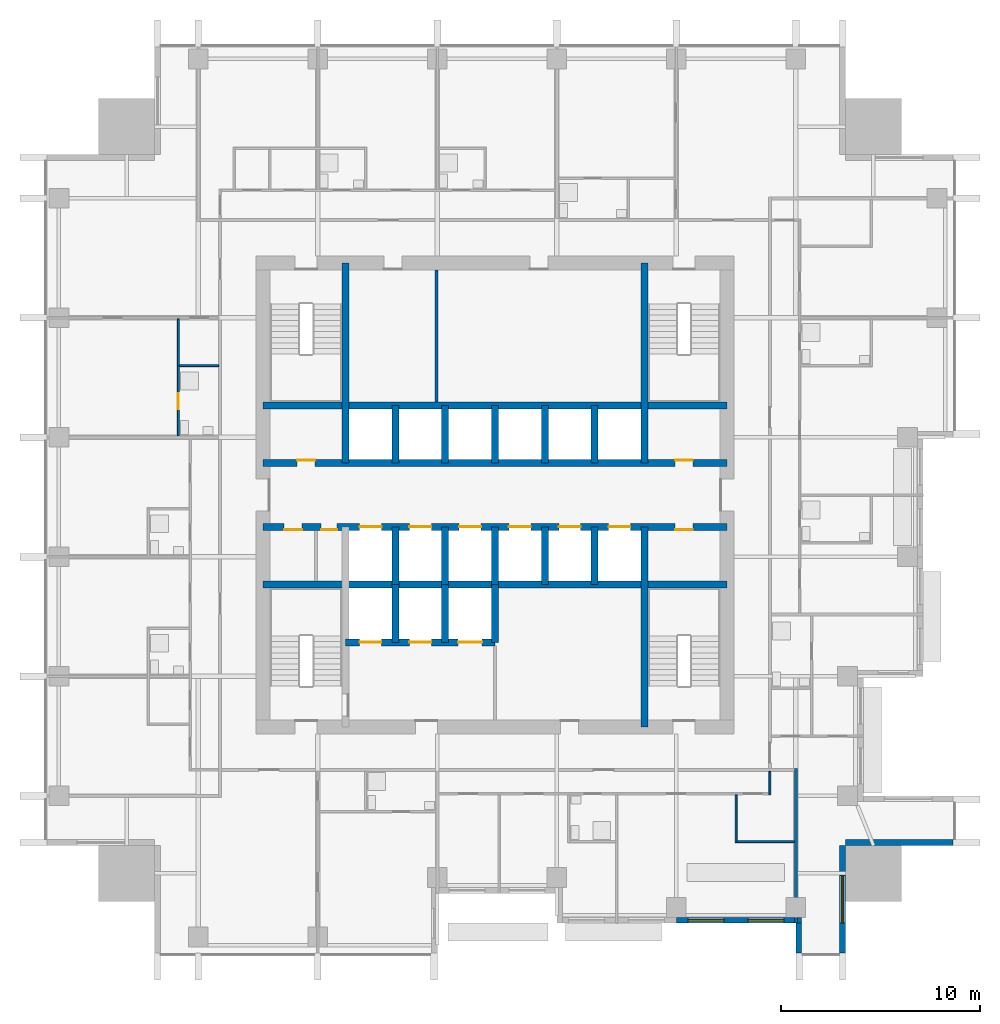
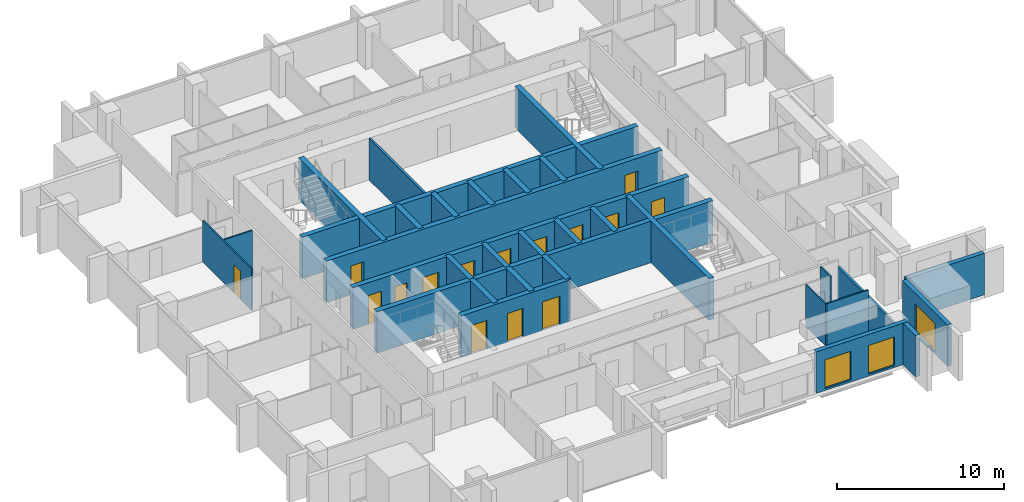
# One storey, part 5 of 10: 32 walls, 15 doors, 3 windows, 18 openings.
"""IFC4 building model written with IfcOpenShell, lengths in metres."""

from ifc_helpers import new_model, si_unit, direction, frame, frame_2d, origin, place, context, subcontext, project, spatial, rectangle, extrude, material, layer, layer_set, type_object, element, fill, save


model = new_model("IFC4")

# Units and contexts
model_context = context("Model", 3, precision=1e-05, world=origin(), true_north=direction((0.0, 1.0)))
body_context = subcontext(model_context, "Body", "Model", "MODEL_VIEW")
ifc_project = project(units=[si_unit("LENGTHUNIT", "METRE"), si_unit("AREAUNIT", "SQUARE_METRE"), si_unit("VOLUMEUNIT", "CUBIC_METRE"), si_unit("PLANEANGLEUNIT", "RADIAN"), si_unit("MASSUNIT", "GRAM", prefix="KILO")], contexts=[model_context])

# Site, building, storey
site_placement = place(None, origin())
site = spatial("IfcSite", under=ifc_project, at=site_placement, CompositionType="ELEMENT")
building_placement = place(site_placement, origin())
building = spatial("IfcBuilding", under=site, at=building_placement, Name="Amberfall Residences", CompositionType="ELEMENT")
storey_placement = place(building_placement, frame((0.0, 0.0, 140.5)))
storey = spatial("IfcBuildingStorey", under=building, at=storey_placement, Name="L37", CompositionType="ELEMENT", Elevation=140.5)

# Wall
ifc_material_1 = material(Name="Pale stone cladding on insulated backing", Category="masonry")
ifc_layer_1 = layer(ifc_material_1, 0.300048828125)
ifc_layer_set_1 = layer_set([ifc_layer_1], Name="Bronze clad wall 300")
wall_type_1 = type_object("IfcWallType", Name="Bronze clad wall 300", PredefinedType="SOLIDWALL", material=ifc_layer_set_1)
wall_1_placement = place(storey_placement, frame((89.75, 24.0, 0.0), z_axis=(0.0, 0.0, 1.0), x_axis=(0.0, -1.0, 0.0)))
element("IfcWall", 1, at=wall_1_placement, inside=storey, type_object=wall_type_1, Name="External wall L37 S", PredefinedType="SOLIDWALL", context=body_context, shape_type="SweptSolid", body=[
    extrude(rectangle(XDim=1.5, YDim=0.300048828125, at=frame_2d((0.75, 0.0))), origin(), (0.0, 0.0, 1.0), 3.050048828125),
])

# Wall, opening, window
wall_2_placement = place(storey_placement, frame((91.949951171875, 22.5, 0.0), z_axis=(0.0, 0.0, 1.0), x_axis=(0.0, 1.0, 0.0)))
wall_2 = element("IfcWall", 2, at=wall_2_placement, inside=storey, type_object=wall_type_1, Name="External wall L37 SE", PredefinedType="SOLIDWALL", context=body_context, shape_type="SweptSolid", body=[
    extrude(rectangle(XDim=5.39990234375, YDim=0.300048828125, at=frame_2d((2.699951171875, 0.0))), origin(), (0.0, 0.0, 1.0), 3.050048828125),
])
opening_1_placement = place(wall_2_placement, frame((1.5, 0.0, 0.14990234375)))
opening_1 = element("IfcOpeningElement", 3, at=opening_1_placement, cuts=wall_2, Name="Opening WN5", PredefinedType="OPENING", context=body_context, shape_type="SweptSolid", body=[
    extrude(rectangle(XDim=2.39990234375, YDim=2.10009765625, at=frame_2d((1.199951171875, 1.050048828125))), frame((0.0, 0.159912109375, 0.0), z_axis=(0.0, -1.0, 0.0), x_axis=(1.0, 0.0, 0.0)), (0.0, 0.0, 1.0), 0.320068359375),
])
ifc_material_2 = material(Name="Bronze aluminium framed glazing", Category="aluminium")
window_type_1 = type_object("IfcWindowType", Name="Glazed opening 2400 x 2100 bronze", PartitioningType="DOUBLE_PANEL_VERTICAL", PredefinedType="WINDOW", material=ifc_material_2)
window_1_placement = place(opening_1_placement, origin())
window_1 = element("IfcWindow", 4, at=window_1_placement, inside=storey, type_object=window_type_1, Name="Window L37 SE", OverallHeight=2.10009765625, OverallWidth=2.39990234375, PartitioningType="DOUBLE_PANEL_VERTICAL", PredefinedType="WINDOW", context=body_context, shape_type="SweptSolid", body=[
    extrude(rectangle(XDim=2.39990234375, YDim=2.10009765625, at=frame_2d((1.199951171875, 1.050048828125))), frame((0.0, 0.030029296875, 0.0), z_axis=(0.0, -1.0, 0.0), x_axis=(1.0, 0.0, 0.0)), (0.0, 0.0, 1.0), 0.06005859375),
])
fill(opening_1, window_1)

# Wall
wall_3_placement = place(storey_placement, frame((92.10009765625, 28.050048828125, 0.0), z_axis=(0.0, 0.0, 1.0), x_axis=(1.0, 0.0, 0.0)))
element("IfcWall", 5, at=wall_3_placement, inside=storey, type_object=wall_type_1, Name="External wall L37 SE", PredefinedType="SOLIDWALL", context=body_context, shape_type="SweptSolid", body=[
    extrude(rectangle(XDim=5.39990234375, YDim=0.300048828125, at=frame_2d((2.699951171875, 0.0))), origin(), (0.0, 0.0, 1.0), 3.050048828125),
])

# Wall, openings, windows
wall_4_placement = place(storey_placement, frame((83.60009765625, 24.14990234375, 0.0), z_axis=(0.0, 0.0, 1.0), x_axis=(1.0, 0.0, 0.0)))
wall_4 = element("IfcWall", 6, at=wall_4_placement, inside=storey, type_object=wall_type_1, Name="Stone wall L37 S", PredefinedType="SOLIDWALL", context=body_context, shape_type="SweptSolid", body=[
    extrude(rectangle(XDim=6.2998046875, YDim=0.300048828125, at=frame_2d((3.14990234375, 0.0))), origin(), (0.0, 0.0, 1.0), 3.050048828125),
])
opening_2_placement = place(wall_4_placement, frame((0.60009765625, 0.0, 0.14990234375)))
opening_2 = element("IfcOpeningElement", 7, at=opening_2_placement, cuts=wall_4, Name="Opening WN6", PredefinedType="OPENING", context=body_context, shape_type="SweptSolid", body=[
    extrude(rectangle(XDim=1.800048828125, YDim=2.10009765625, at=frame_2d((0.89990234375, 1.050048828125))), frame((0.0, 0.159912109375, 0.0), z_axis=(0.0, -1.0, 0.0), x_axis=(1.0, 0.0, 0.0)), (0.0, 0.0, 1.0), 0.320068359375),
])
opening_3_placement = place(wall_4_placement, frame((3.60009765625, 0.0, 0.14990234375)))
opening_3 = element("IfcOpeningElement", 8, at=opening_3_placement, cuts=wall_4, Name="Opening WN6", PredefinedType="OPENING", context=body_context, shape_type="SweptSolid", body=[
    extrude(rectangle(XDim=1.800048828125, YDim=2.10009765625, at=frame_2d((0.89990234375, 1.050048828125))), frame((0.0, 0.159912109375, 0.0), z_axis=(0.0, -1.0, 0.0), x_axis=(1.0, 0.0, 0.0)), (0.0, 0.0, 1.0), 0.320068359375),
])
window_type_2 = type_object("IfcWindowType", Name="Glazed opening 1800 x 2100 bronze", PartitioningType="DOUBLE_PANEL_VERTICAL", PredefinedType="WINDOW", material=ifc_material_2)
window_2_placement = place(opening_2_placement, origin())
window_2 = element("IfcWindow", 9, at=window_2_placement, inside=storey, type_object=window_type_2, Name="Window L37 S", OverallHeight=2.10009765625, OverallWidth=1.800048828125, PartitioningType="DOUBLE_PANEL_VERTICAL", PredefinedType="WINDOW", context=body_context, shape_type="SweptSolid", body=[
    extrude(rectangle(XDim=1.800048828125, YDim=2.10009765625, at=frame_2d((0.89990234375, 1.050048828125))), frame((0.0, 0.030029296875, 0.0), z_axis=(0.0, -1.0, 0.0), x_axis=(1.0, 0.0, 0.0)), (0.0, 0.0, 1.0), 0.06005859375),
])
fill(opening_2, window_2)
window_3_placement = place(opening_3_placement, origin())
window_3 = element("IfcWindow", 10, at=window_3_placement, inside=storey, type_object=window_type_2, Name="Window L37 S", OverallHeight=2.10009765625, OverallWidth=1.800048828125, PartitioningType="DOUBLE_PANEL_VERTICAL", PredefinedType="WINDOW", context=body_context, shape_type="SweptSolid", body=[
    extrude(rectangle(XDim=1.800048828125, YDim=2.10009765625, at=frame_2d((0.89990234375, 1.050048828125))), frame((0.0, 0.030029296875, 0.0), z_axis=(0.0, -1.0, 0.0), x_axis=(1.0, 0.0, 0.0)), (0.0, 0.0, 1.0), 0.06005859375),
])
fill(opening_3, window_3)

# Wall
ifc_material_3 = material(Name="Concrete C60", Category="concrete")
ifc_layer_2 = layer(ifc_material_3, 0.35009765625)
ifc_layer_set_2 = layer_set([ifc_layer_2], Name="Core wall 350 C60")
wall_type_2 = type_object("IfcWallType", Name="Core wall 350 C60", PredefinedType="SHEAR", material=ifc_layer_set_2)
wall_5_placement = place(storey_placement, frame((62.85009765625, 41.0, 0.0), z_axis=(0.0, 0.0, 1.0), x_axis=(1.0, 0.0, 0.0)))
element("IfcWall", 11, at=wall_5_placement, inside=storey, type_object=wall_type_2, Name="Core wall RW6 L37 H75", PredefinedType="SHEAR", context=body_context, shape_type="SweptSolid", body=[
    extrude(rectangle(XDim=23.2998046875, YDim=0.35009765625, at=frame_2d((11.64990234375, 0.0))), origin(), (0.0, 0.0, 1.0), 3.050048828125),
])

# Wall, openings, doors
wall_6_placement = place(storey_placement, frame((62.85009765625, 43.89990234375, 0.0), z_axis=(0.0, 0.0, 1.0), x_axis=(1.0, 0.0, 0.0)))
wall_6 = element("IfcWall", 12, at=wall_6_placement, inside=storey, type_object=wall_type_2, Name="Core wall RW6 L37 H104", PredefinedType="SHEAR", context=body_context, shape_type="SweptSolid", body=[
    extrude(rectangle(XDim=23.2998046875, YDim=0.35009765625, at=frame_2d((11.64990234375, 0.0))), origin(), (0.0, 0.0, 1.0), 3.050048828125),
])
opening_4_placement = place(wall_6_placement, frame((1.06005859375, 0.0, 0.0)))
opening_4 = element("IfcOpeningElement", 13, at=opening_4_placement, cuts=wall_6, Name="Opening RD1", PredefinedType="OPENING", context=body_context, shape_type="SweptSolid", body=[
    extrude(rectangle(XDim=0.89990234375, YDim=2.10009765625, at=frame_2d((0.449951171875, 1.050048828125))), frame((0.0, 0.18505859375, 0.0), z_axis=(0.0, -1.0, 0.0), x_axis=(1.0, 0.0, 0.0)), (0.0, 0.0, 1.0), 0.3701171875),
])
opening_5_placement = place(wall_6_placement, frame((2.922607421875, 0.0, 0.0)))
opening_5 = element("IfcOpeningElement", 14, at=opening_5_placement, cuts=wall_6, Name="Opening RD2", PredefinedType="OPENING", context=body_context, shape_type="SweptSolid", body=[
    extrude(rectangle(XDim=0.800048828125, YDim=2.10009765625, at=frame_2d((0.39990234375, 1.050048828125))), frame((0.0, 0.18505859375, 0.0), z_axis=(0.0, -1.0, 0.0), x_axis=(1.0, 0.0, 0.0)), (0.0, 0.0, 1.0), 0.3701171875),
])
opening_6_placement = place(wall_6_placement, frame((20.6875, 0.0, 0.0)))
opening_6 = element("IfcOpeningElement", 15, at=opening_6_placement, cuts=wall_6, Name="Opening RD1", PredefinedType="OPENING", context=body_context, shape_type="SweptSolid", body=[
    extrude(rectangle(XDim=0.89990234375, YDim=2.10009765625, at=frame_2d((0.449951171875, 1.050048828125))), frame((0.0, 0.18505859375, 0.0), z_axis=(0.0, -1.0, 0.0), x_axis=(1.0, 0.0, 0.0)), (0.0, 0.0, 1.0), 0.3701171875),
])
opening_7_placement = place(wall_6_placement, frame((4.85009765625, 0.0, 0.0)))
opening_7 = element("IfcOpeningElement", 16, at=opening_7_placement, cuts=wall_6, Name="Opening LD1", PredefinedType="OPENING", context=body_context, shape_type="SweptSolid", body=[
    extrude(rectangle(XDim=1.10009765625, YDim=2.10009765625, at=frame_2d((0.550048828125, 1.050048828125))), frame((0.0, 0.18505859375, 0.0), z_axis=(0.0, -1.0, 0.0), x_axis=(1.0, 0.0, 0.0)), (0.0, 0.0, 1.0), 0.3701171875),
])
opening_8_placement = place(wall_6_placement, frame((7.35009765625, 0.0, 0.0)))
opening_8 = element("IfcOpeningElement", 17, at=opening_8_placement, cuts=wall_6, Name="Opening LD1", PredefinedType="OPENING", context=body_context, shape_type="SweptSolid", body=[
    extrude(rectangle(XDim=1.10009765625, YDim=2.10009765625, at=frame_2d((0.550048828125, 1.050048828125))), frame((0.0, 0.18505859375, 0.0), z_axis=(0.0, -1.0, 0.0), x_axis=(1.0, 0.0, 0.0)), (0.0, 0.0, 1.0), 0.3701171875),
])
opening_9_placement = place(wall_6_placement, frame((9.85009765625, 0.0, 0.0)))
opening_9 = element("IfcOpeningElement", 18, at=opening_9_placement, cuts=wall_6, Name="Opening LD1", PredefinedType="OPENING", context=body_context, shape_type="SweptSolid", body=[
    extrude(rectangle(XDim=1.10009765625, YDim=2.10009765625, at=frame_2d((0.550048828125, 1.050048828125))), frame((0.0, 0.18505859375, 0.0), z_axis=(0.0, -1.0, 0.0), x_axis=(1.0, 0.0, 0.0)), (0.0, 0.0, 1.0), 0.3701171875),
])
opening_10_placement = place(wall_6_placement, frame((12.35009765625, 0.0, 0.0)))
opening_10 = element("IfcOpeningElement", 19, at=opening_10_placement, cuts=wall_6, Name="Opening LD1", PredefinedType="OPENING", context=body_context, shape_type="SweptSolid", body=[
    extrude(rectangle(XDim=1.10009765625, YDim=2.10009765625, at=frame_2d((0.550048828125, 1.050048828125))), frame((0.0, 0.18505859375, 0.0), z_axis=(0.0, -1.0, 0.0), x_axis=(1.0, 0.0, 0.0)), (0.0, 0.0, 1.0), 0.3701171875),
])
opening_11_placement = place(wall_6_placement, frame((14.85009765625, 0.0, 0.0)))
opening_11 = element("IfcOpeningElement", 20, at=opening_11_placement, cuts=wall_6, Name="Opening LD1", PredefinedType="OPENING", context=body_context, shape_type="SweptSolid", body=[
    extrude(rectangle(XDim=1.10009765625, YDim=2.10009765625, at=frame_2d((0.550048828125, 1.050048828125))), frame((0.0, 0.18505859375, 0.0), z_axis=(0.0, -1.0, 0.0), x_axis=(1.0, 0.0, 0.0)), (0.0, 0.0, 1.0), 0.3701171875),
])
opening_12_placement = place(wall_6_placement, frame((17.35009765625, 0.0, 0.0)))
opening_12 = element("IfcOpeningElement", 21, at=opening_12_placement, cuts=wall_6, Name="Opening LD1", PredefinedType="OPENING", context=body_context, shape_type="SweptSolid", body=[
    extrude(rectangle(XDim=1.10009765625, YDim=2.10009765625, at=frame_2d((0.550048828125, 1.050048828125))), frame((0.0, 0.18505859375, 0.0), z_axis=(0.0, -1.0, 0.0), x_axis=(1.0, 0.0, 0.0)), (0.0, 0.0, 1.0), 0.3701171875),
])
ifc_material_4 = material(Name="Steel fire door set", Category="steel")
door_type_1 = type_object("IfcDoorType", Name="Lift landing door 1100 x 2100", OperationType="DOUBLE_DOOR_SLIDING", PredefinedType="DOOR", material=ifc_material_4)
door_1_placement = place(opening_7_placement, origin())
door_1 = element("IfcDoor", 22, at=door_1_placement, inside=storey, type_object=door_type_1, Name="Landing door LP1 L37", OperationType="DOUBLE_DOOR_SLIDING", OverallHeight=2.10009765625, OverallWidth=1.10009765625, PredefinedType="DOOR", context=body_context, shape_type="SweptSolid", body=[
    extrude(rectangle(XDim=1.10009765625, YDim=2.10009765625, at=frame_2d((0.550048828125, 1.050048828125))), frame((0.0, 0.02490234375, 0.0), z_axis=(0.0, -1.0, 0.0), x_axis=(1.0, 0.0, 0.0)), (0.0, 0.0, 1.0), 0.050048828125),
])
fill(opening_7, door_1)
door_2_placement = place(opening_8_placement, origin())
door_2 = element("IfcDoor", 23, at=door_2_placement, inside=storey, type_object=door_type_1, Name="Landing door LP2 L37", OperationType="DOUBLE_DOOR_SLIDING", OverallHeight=2.10009765625, OverallWidth=1.10009765625, PredefinedType="DOOR", context=body_context, shape_type="SweptSolid", body=[
    extrude(rectangle(XDim=1.10009765625, YDim=2.10009765625, at=frame_2d((0.550048828125, 1.050048828125))), frame((0.0, 0.02490234375, 0.0), z_axis=(0.0, -1.0, 0.0), x_axis=(1.0, 0.0, 0.0)), (0.0, 0.0, 1.0), 0.050048828125),
])
fill(opening_8, door_2)
door_3_placement = place(opening_9_placement, origin())
door_3 = element("IfcDoor", 24, at=door_3_placement, inside=storey, type_object=door_type_1, Name="Landing door LP3 L37", OperationType="DOUBLE_DOOR_SLIDING", OverallHeight=2.10009765625, OverallWidth=1.10009765625, PredefinedType="DOOR", context=body_context, shape_type="SweptSolid", body=[
    extrude(rectangle(XDim=1.10009765625, YDim=2.10009765625, at=frame_2d((0.550048828125, 1.050048828125))), frame((0.0, 0.02490234375, 0.0), z_axis=(0.0, -1.0, 0.0), x_axis=(1.0, 0.0, 0.0)), (0.0, 0.0, 1.0), 0.050048828125),
])
fill(opening_9, door_3)
door_4_placement = place(opening_10_placement, origin())
door_4 = element("IfcDoor", 25, at=door_4_placement, inside=storey, type_object=door_type_1, Name="Landing door LP4 L37", OperationType="DOUBLE_DOOR_SLIDING", OverallHeight=2.10009765625, OverallWidth=1.10009765625, PredefinedType="DOOR", context=body_context, shape_type="SweptSolid", body=[
    extrude(rectangle(XDim=1.10009765625, YDim=2.10009765625, at=frame_2d((0.550048828125, 1.050048828125))), frame((0.0, 0.02490234375, 0.0), z_axis=(0.0, -1.0, 0.0), x_axis=(1.0, 0.0, 0.0)), (0.0, 0.0, 1.0), 0.050048828125),
])
fill(opening_10, door_4)
door_5_placement = place(opening_11_placement, origin())
door_5 = element("IfcDoor", 26, at=door_5_placement, inside=storey, type_object=door_type_1, Name="Landing door LP5 L37", OperationType="DOUBLE_DOOR_SLIDING", OverallHeight=2.10009765625, OverallWidth=1.10009765625, PredefinedType="DOOR", context=body_context, shape_type="SweptSolid", body=[
    extrude(rectangle(XDim=1.10009765625, YDim=2.10009765625, at=frame_2d((0.550048828125, 1.050048828125))), frame((0.0, 0.02490234375, 0.0), z_axis=(0.0, -1.0, 0.0), x_axis=(1.0, 0.0, 0.0)), (0.0, 0.0, 1.0), 0.050048828125),
])
fill(opening_11, door_5)
door_6_placement = place(opening_12_placement, origin())
door_6 = element("IfcDoor", 27, at=door_6_placement, inside=storey, type_object=door_type_1, Name="Landing door LP6 L37", OperationType="DOUBLE_DOOR_SLIDING", OverallHeight=2.10009765625, OverallWidth=1.10009765625, PredefinedType="DOOR", context=body_context, shape_type="SweptSolid", body=[
    extrude(rectangle(XDim=1.10009765625, YDim=2.10009765625, at=frame_2d((0.550048828125, 1.050048828125))), frame((0.0, 0.02490234375, 0.0), z_axis=(0.0, -1.0, 0.0), x_axis=(1.0, 0.0, 0.0)), (0.0, 0.0, 1.0), 0.050048828125),
])
fill(opening_12, door_6)
door_type_2 = type_object("IfcDoorType", Name="Service room door 800 x 2100", OperationType="SINGLE_SWING_LEFT", PredefinedType="DOOR", material=ifc_material_4)
door_7_placement = place(opening_5_placement, origin())
door_7 = element("IfcDoor", 28, at=door_7_placement, inside=storey, type_object=door_type_2, Name="RD2 L37", OperationType="SINGLE_SWING_RIGHT", OverallHeight=2.10009765625, OverallWidth=0.800048828125, PredefinedType="DOOR", context=body_context, shape_type="SweptSolid", body=[
    extrude(rectangle(XDim=0.800048828125, YDim=2.10009765625, at=frame_2d((0.39990234375, 1.050048828125))), frame((0.0, -0.1123046875, 0.0), z_axis=(0.0, -1.0, 0.0), x_axis=(1.0, 0.0, 0.0)), (0.0, 0.0, 1.0), 0.050048828125),
])
fill(opening_5, door_7)
door_type_3 = type_object("IfcDoorType", Name="Service room door 900 x 2100", OperationType="SINGLE_SWING_LEFT", PredefinedType="DOOR", material=ifc_material_4)
door_8_placement = place(opening_4_placement, origin())
door_8 = element("IfcDoor", 29, at=door_8_placement, inside=storey, type_object=door_type_3, Name="RD1 L37", OperationType="SINGLE_SWING_LEFT", OverallHeight=2.10009765625, OverallWidth=0.89990234375, PredefinedType="DOOR", context=body_context, shape_type="SweptSolid", body=[
    extrude(rectangle(XDim=0.89990234375, YDim=2.10009765625, at=frame_2d((0.449951171875, 1.050048828125))), frame((0.0, -0.1123046875, 0.0), z_axis=(0.0, -1.0, 0.0), x_axis=(1.0, 0.0, 0.0)), (0.0, 0.0, 1.0), 0.050048828125),
])
fill(opening_4, door_8)
door_9_placement = place(opening_6_placement, origin())
door_9 = element("IfcDoor", 30, at=door_9_placement, inside=storey, type_object=door_type_3, Name="RD1 L37", OperationType="SINGLE_SWING_LEFT", OverallHeight=2.10009765625, OverallWidth=0.89990234375, PredefinedType="DOOR", context=body_context, shape_type="SweptSolid", body=[
    extrude(rectangle(XDim=0.89990234375, YDim=2.10009765625, at=frame_2d((0.449951171875, 1.050048828125))), frame((0.0, -0.1123046875, 0.0), z_axis=(0.0, -1.0, 0.0), x_axis=(1.0, 0.0, 0.0)), (0.0, 0.0, 1.0), 0.050048828125),
])
fill(opening_6, door_9)

wall_7_placement = place(storey_placement, frame((62.85009765625, 47.10009765625, 0.0), z_axis=(0.0, 0.0, 1.0), x_axis=(1.0, 0.0, 0.0)))
wall_7 = element("IfcWall", 31, at=wall_7_placement, inside=storey, type_object=wall_type_2, Name="Core wall RW6 L37 H136", PredefinedType="SHEAR", context=body_context, shape_type="SweptSolid", body=[
    extrude(rectangle(XDim=23.2998046875, YDim=0.35009765625, at=frame_2d((11.64990234375, 0.0))), origin(), (0.0, 0.0, 1.0), 3.050048828125),
])
opening_13_placement = place(wall_7_placement, frame((1.71240234375, 0.0, 0.0)))
opening_13 = element("IfcOpeningElement", 32, at=opening_13_placement, cuts=wall_7, Name="Opening RD1", PredefinedType="OPENING", context=body_context, shape_type="SweptSolid", body=[
    extrude(rectangle(XDim=0.89990234375, YDim=2.10009765625, at=frame_2d((0.449951171875, 1.050048828125))), frame((0.0, 0.18505859375, 0.0), z_axis=(0.0, -1.0, 0.0), x_axis=(1.0, 0.0, 0.0)), (0.0, 0.0, 1.0), 0.3701171875),
])
opening_14_placement = place(wall_7_placement, frame((20.6875, 0.0, 0.0)))
opening_14 = element("IfcOpeningElement", 33, at=opening_14_placement, cuts=wall_7, Name="Opening RD1", PredefinedType="OPENING", context=body_context, shape_type="SweptSolid", body=[
    extrude(rectangle(XDim=0.89990234375, YDim=2.10009765625, at=frame_2d((0.449951171875, 1.050048828125))), frame((0.0, 0.18505859375, 0.0), z_axis=(0.0, -1.0, 0.0), x_axis=(1.0, 0.0, 0.0)), (0.0, 0.0, 1.0), 0.3701171875),
])
door_10_placement = place(opening_13_placement, origin())
door_10 = element("IfcDoor", 34, at=door_10_placement, inside=storey, type_object=door_type_3, Name="RD1 L37", OperationType="SINGLE_SWING_LEFT", OverallHeight=2.10009765625, OverallWidth=0.89990234375, PredefinedType="DOOR", context=body_context, shape_type="SweptSolid", body=[
    extrude(rectangle(XDim=0.89990234375, YDim=2.10009765625, at=frame_2d((0.449951171875, 1.050048828125))), frame((0.0, 0.16259765625, 0.0), z_axis=(0.0, -1.0, 0.0), x_axis=(1.0, 0.0, 0.0)), (0.0, 0.0, 1.0), 0.050048828125),
])
fill(opening_13, door_10)
door_11_placement = place(opening_14_placement, origin())
door_11 = element("IfcDoor", 35, at=door_11_placement, inside=storey, type_object=door_type_3, Name="RD1 L37", OperationType="SINGLE_SWING_LEFT", OverallHeight=2.10009765625, OverallWidth=0.89990234375, PredefinedType="DOOR", context=body_context, shape_type="SweptSolid", body=[
    extrude(rectangle(XDim=0.89990234375, YDim=2.10009765625, at=frame_2d((0.449951171875, 1.050048828125))), frame((0.0, 0.16259765625, 0.0), z_axis=(0.0, -1.0, 0.0), x_axis=(1.0, 0.0, 0.0)), (0.0, 0.0, 1.0), 0.050048828125),
])
fill(opening_14, door_11)

# Walls
wall_8_placement = place(storey_placement, frame((62.85009765625, 50.0, 0.0), z_axis=(0.0, 0.0, 1.0), x_axis=(1.0, 0.0, 0.0)))
element("IfcWall", 36, at=wall_8_placement, inside=storey, type_object=wall_type_2, Name="Core wall RW6 L37 H165", PredefinedType="SHEAR", context=body_context, shape_type="SweptSolid", body=[
    extrude(rectangle(XDim=23.2998046875, YDim=0.35009765625, at=frame_2d((11.64990234375, 0.0))), origin(), (0.0, 0.0, 1.0), 3.050048828125),
])
for number, where, z_axis, x_axis, name in (
    (37, (67.0, 47.10009765625, 0.0), (0.0, 0.0, 1.0), (0.0, 1.0, 0.0), "Core wall RW6 L37 V45N"),
    (38, (82.0, 33.85009765625, 0.0), (0.0, 0.0, 1.0), (0.0, 1.0, 0.0), "Core wall RW6 L37 V195S"),
    (39, (82.0, 47.10009765625, 0.0), (0.0, 0.0, 1.0), (0.0, 1.0, 0.0), "Core wall RW6 L37 V195N"),
):
    element("IfcWall", number, at=place(storey_placement, frame(where, z_axis=z_axis, x_axis=x_axis)), inside=storey, type_object=wall_type_2, Name=name, PredefinedType="SHEAR", context=body_context, shape_type="SweptSolid", body=[
        extrude(rectangle(XDim=10.0498046875, YDim=0.35009765625, at=frame_2d((5.02490234375, 0.0))), origin(), (0.0, 0.0, 1.0), 3.050048828125),
    ])
for number, where, z_axis, x_axis, name in (
    (40, (69.5, 41.0, 0.0), (0.0, 0.0, 1.0), (0.0, 1.0, 0.0), "Core wall RW6 L37 LPD1"),
    (41, (69.5, 47.10009765625, 0.0), (0.0, 0.0, 1.0), (0.0, 1.0, 0.0), "Core wall RW6 L37 HPD1"),
    (42, (72.0, 41.0, 0.0), (0.0, 0.0, 1.0), (0.0, 1.0, 0.0), "Core wall RW6 L37 LPD2"),
    (43, (72.0, 47.10009765625, 0.0), (0.0, 0.0, 1.0), (0.0, 1.0, 0.0), "Core wall RW6 L37 HPD2"),
    (44, (74.5, 41.0, 0.0), (0.0, 0.0, 1.0), (0.0, 1.0, 0.0), "Core wall RW6 L37 LPD3"),
    (45, (74.5, 47.10009765625, 0.0), (0.0, 0.0, 1.0), (0.0, 1.0, 0.0), "Core wall RW6 L37 HPD3"),
    (46, (77.0, 41.0, 0.0), (0.0, 0.0, 1.0), (0.0, 1.0, 0.0), "Core wall RW6 L37 LPD4"),
    (47, (77.0, 47.10009765625, 0.0), (0.0, 0.0, 1.0), (0.0, 1.0, 0.0), "Core wall RW6 L37 HPD4"),
    (48, (79.5, 41.0, 0.0), (0.0, 0.0, 1.0), (0.0, 1.0, 0.0), "Core wall RW6 L37 LPD5"),
    (49, (79.5, 47.10009765625, 0.0), (0.0, 0.0, 1.0), (0.0, 1.0, 0.0), "Core wall RW6 L37 HPD5"),
):
    element("IfcWall", number, at=place(storey_placement, frame(where, z_axis=z_axis, x_axis=x_axis)), inside=storey, type_object=wall_type_2, Name=name, PredefinedType="SHEAR", context=body_context, shape_type="SweptSolid", body=[
        extrude(rectangle(XDim=2.89990234375, YDim=0.35009765625, at=frame_2d((1.449951171875, 0.0))), origin(), (0.0, 0.0, 1.0), 3.050048828125),
    ])

# Wall, openings, doors
wall_9_placement = place(storey_placement, frame((67.0, 38.10009765625, 0.0), z_axis=(0.0, 0.0, 1.0), x_axis=(1.0, 0.0, 0.0)))
wall_9 = element("IfcWall", 50, at=wall_9_placement, inside=storey, type_object=wall_type_2, Name="Core wall RW6 L37 FFF", PredefinedType="SHEAR", context=body_context, shape_type="SweptSolid", body=[
    extrude(rectangle(XDim=7.5, YDim=0.35009765625, at=frame_2d((3.75, 0.0))), origin(), (0.0, 0.0, 1.0), 3.050048828125),
])
opening_15_placement = place(wall_9_placement, frame((0.699951171875, 0.0, 0.0)))
opening_15 = element("IfcOpeningElement", 51, at=opening_15_placement, cuts=wall_9, Name="Opening LD2", PredefinedType="OPENING", context=body_context, shape_type="SweptSolid", body=[
    extrude(rectangle(XDim=1.10009765625, YDim=2.10009765625, at=frame_2d((0.550048828125, 1.050048828125))), frame((0.0, 0.18505859375, 0.0), z_axis=(0.0, -1.0, 0.0), x_axis=(1.0, 0.0, 0.0)), (0.0, 0.0, 1.0), 0.3701171875),
])
opening_16_placement = place(wall_9_placement, frame((3.199951171875, 0.0, 0.0)))
opening_16 = element("IfcOpeningElement", 52, at=opening_16_placement, cuts=wall_9, Name="Opening LD2", PredefinedType="OPENING", context=body_context, shape_type="SweptSolid", body=[
    extrude(rectangle(XDim=1.10009765625, YDim=2.10009765625, at=frame_2d((0.550048828125, 1.050048828125))), frame((0.0, 0.18505859375, 0.0), z_axis=(0.0, -1.0, 0.0), x_axis=(1.0, 0.0, 0.0)), (0.0, 0.0, 1.0), 0.3701171875),
])
opening_17_placement = place(wall_9_placement, frame((5.64990234375, 0.0, 0.0)))
opening_17 = element("IfcOpeningElement", 53, at=opening_17_placement, cuts=wall_9, Name="Opening LD3", PredefinedType="OPENING", context=body_context, shape_type="SweptSolid", body=[
    extrude(rectangle(XDim=1.199951171875, YDim=2.10009765625, at=frame_2d((0.60009765625, 1.050048828125))), frame((0.0, 0.18505859375, 0.0), z_axis=(0.0, -1.0, 0.0), x_axis=(1.0, 0.0, 0.0)), (0.0, 0.0, 1.0), 0.3701171875),
])
door_type_4 = type_object("IfcDoorType", Name="Firefighting lift landing door 1100 x 2100", OperationType="DOUBLE_DOOR_SLIDING", PredefinedType="DOOR", material=ifc_material_4)
door_12_placement = place(opening_15_placement, origin())
door_12 = element("IfcDoor", 54, at=door_12_placement, inside=storey, type_object=door_type_4, Name="Landing door FF1 L37", OperationType="DOUBLE_DOOR_SLIDING", OverallHeight=2.10009765625, OverallWidth=1.10009765625, PredefinedType="DOOR", context=body_context, shape_type="SweptSolid", body=[
    extrude(rectangle(XDim=1.10009765625, YDim=2.10009765625, at=frame_2d((0.550048828125, 1.050048828125))), frame((0.0, 0.02490234375, 0.0), z_axis=(0.0, -1.0, 0.0), x_axis=(1.0, 0.0, 0.0)), (0.0, 0.0, 1.0), 0.050048828125),
])
fill(opening_15, door_12)
door_13_placement = place(opening_16_placement, origin())
door_13 = element("IfcDoor", 55, at=door_13_placement, inside=storey, type_object=door_type_4, Name="Landing door FF2 L37", OperationType="DOUBLE_DOOR_SLIDING", OverallHeight=2.10009765625, OverallWidth=1.10009765625, PredefinedType="DOOR", context=body_context, shape_type="SweptSolid", body=[
    extrude(rectangle(XDim=1.10009765625, YDim=2.10009765625, at=frame_2d((0.550048828125, 1.050048828125))), frame((0.0, 0.02490234375, 0.0), z_axis=(0.0, -1.0, 0.0), x_axis=(1.0, 0.0, 0.0)), (0.0, 0.0, 1.0), 0.050048828125),
])
fill(opening_16, door_13)
door_type_5 = type_object("IfcDoorType", Name="Service lift landing door 1200 x 2100", OperationType="DOUBLE_DOOR_SLIDING", PredefinedType="DOOR", material=ifc_material_4)
door_14_placement = place(opening_17_placement, origin())
door_14 = element("IfcDoor", 56, at=door_14_placement, inside=storey, type_object=door_type_5, Name="Landing door SL1 L37", OperationType="DOUBLE_DOOR_SLIDING", OverallHeight=2.10009765625, OverallWidth=1.199951171875, PredefinedType="DOOR", context=body_context, shape_type="SweptSolid", body=[
    extrude(rectangle(XDim=1.199951171875, YDim=2.10009765625, at=frame_2d((0.60009765625, 1.050048828125))), frame((0.0, 0.02490234375, 0.0), z_axis=(0.0, -1.0, 0.0), x_axis=(1.0, 0.0, 0.0)), (0.0, 0.0, 1.0), 0.050048828125),
])
fill(opening_17, door_14)

# Walls
for number, where, z_axis, x_axis, name in (
    (57, (69.5, 38.10009765625, 0.0), (0.0, 0.0, 1.0), (0.0, 1.0, 0.0), "Core wall RW6 L37 FFD1"),
    (58, (72.0, 38.10009765625, 0.0), (0.0, 0.0, 1.0), (0.0, 1.0, 0.0), "Core wall RW6 L37 FFD2"),
    (59, (74.5, 38.10009765625, 0.0), (0.0, 0.0, 1.0), (0.0, 1.0, 0.0), "Core wall RW6 L37 FFD3"),
):
    element("IfcWall", number, at=place(storey_placement, frame(where, z_axis=z_axis, x_axis=x_axis)), inside=storey, type_object=wall_type_2, Name=name, PredefinedType="SHEAR", context=body_context, shape_type="SweptSolid", body=[
        extrude(rectangle(XDim=2.89990234375, YDim=0.35009765625, at=frame_2d((1.449951171875, 0.0))), origin(), (0.0, 0.0, 1.0), 3.050048828125),
    ])

# Wall, opening, door
ifc_material_5 = material(Name="Gypsum board on metal stud")
ifc_layer_3 = layer(ifc_material_5, 0.10009765625)
ifc_layer_set_3 = layer_set([ifc_layer_3], Name="Flat partition 100")
wall_type_3 = type_object("IfcWallType", Name="Flat partition 100", PredefinedType="PARTITIONING", material=ifc_layer_set_3)
wall_10_placement = place(storey_placement, frame((58.60009765625, 54.35009765625, 0.0), z_axis=(0.0, 0.0, 1.0), x_axis=(0.0, -1.0, 0.0)))
wall_10 = element("IfcWall", 60, at=wall_10_placement, inside=storey, type_object=wall_type_3, Name="Partition 003", PredefinedType="PARTITIONING", context=body_context, shape_type="SweptSolid", body=[
    extrude(rectangle(XDim=5.875, YDim=0.10009765625, at=frame_2d((2.9375, 0.0))), origin(), (0.0, 0.0, 1.0), 3.050048828125),
])
opening_18_placement = place(wall_10_placement, frame((3.75, 0.0, 0.0)))
opening_18 = element("IfcOpeningElement", 61, at=opening_18_placement, cuts=wall_10, Name="Opening D42", PredefinedType="OPENING", context=body_context, shape_type="SweptSolid", body=[
    extrude(rectangle(XDim=0.800048828125, YDim=2.10009765625, at=frame_2d((0.39990234375, 1.050048828125))), frame((0.0, 0.06005859375, 0.0), z_axis=(0.0, -1.0, 0.0), x_axis=(1.0, 0.0, 0.0)), (0.0, 0.0, 1.0), 0.1201171875),
])
ifc_material_6 = material(Name="Timber", Category="wood")
door_type_6 = type_object("IfcDoorType", Name="Bathroom door 800 x 2100", OperationType="SINGLE_SWING_LEFT", PredefinedType="DOOR", material=ifc_material_6)
door_15_placement = place(opening_18_placement, origin())
door_15 = element("IfcDoor", 62, at=door_15_placement, inside=storey, type_object=door_type_6, Name="Door 3708 bath1", OperationType="SINGLE_SWING_LEFT", OverallHeight=2.10009765625, OverallWidth=0.800048828125, PredefinedType="DOOR", context=body_context, shape_type="SweptSolid", body=[
    extrude(rectangle(XDim=0.800048828125, YDim=2.10009765625, at=frame_2d((0.39990234375, 1.050048828125))), frame((0.0, 0.02490234375, 0.0), z_axis=(0.0, -1.0, 0.0), x_axis=(1.0, 0.0, 0.0)), (0.0, 0.0, 1.0), 0.050048828125),
])
fill(opening_18, door_15)

# Walls
wall_11_placement = place(storey_placement, frame((86.60009765625, 28.050048828125, 0.0), z_axis=(0.0, 0.0, 1.0), x_axis=(0.0, 1.0, 0.0)))
element("IfcWall", 63, at=wall_11_placement, inside=storey, type_object=wall_type_3, Name="Partition 019", PredefinedType="PARTITIONING", context=body_context, shape_type="SweptSolid", body=[
    extrude(rectangle(XDim=2.39990234375, YDim=0.10009765625, at=frame_2d((1.199951171875, 0.0))), origin(), (0.0, 0.0, 1.0), 3.050048828125),
])
wall_12_placement = place(storey_placement, frame((88.300048828125, 30.449951171875, 0.0), z_axis=(0.0, 0.0, 1.0), x_axis=(0.0, 1.0, 0.0)))
element("IfcWall", 64, at=wall_12_placement, inside=storey, type_object=wall_type_3, Name="Partition 020", PredefinedType="PARTITIONING", context=body_context, shape_type="SweptSolid", body=[
    extrude(rectangle(XDim=1.175048828125, YDim=0.10009765625, at=frame_2d((0.58740234375, 0.0))), origin(), (0.0, 0.0, 1.0), 3.050048828125),
])
wall_13_placement = place(storey_placement, frame((58.64990234375, 52.0, 0.0), z_axis=(0.0, 0.0, 1.0), x_axis=(1.0, 0.0, 0.0)))
element("IfcWall", 65, at=wall_13_placement, inside=storey, type_object=wall_type_3, Name="Partition 034", PredefinedType="PARTITIONING", context=body_context, shape_type="SweptSolid", body=[
    extrude(rectangle(XDim=1.97509765625, YDim=0.10009765625, at=frame_2d((0.987548828125, 0.0))), origin(), (0.0, 0.0, 1.0), 3.050048828125),
])
wall_14_placement = place(storey_placement, frame((86.64990234375, 28.10009765625, 0.0), z_axis=(0.0, 0.0, 1.0), x_axis=(1.0, 0.0, 0.0)))
element("IfcWall", 66, at=wall_14_placement, inside=storey, type_object=wall_type_3, Name="Partition 049", PredefinedType="PARTITIONING", context=body_context, shape_type="SweptSolid", body=[
    extrude(rectangle(XDim=2.875, YDim=0.10009765625, at=frame_2d((1.4375, 0.0))), origin(), (0.0, 0.0, 1.0), 3.050048828125),
])
ifc_material_7 = material(Name="Blockwork, plastered", Category="masonry")
ifc_layer_4 = layer(ifc_material_7, 0.14990234375)
ifc_layer_set_4 = layer_set([ifc_layer_4], Name="Flat separating wall 150")
wall_type_4 = type_object("IfcWallType", Name="Flat separating wall 150", PredefinedType="PARTITIONING", material=ifc_layer_set_4)
wall_15_placement = place(storey_placement, frame((89.60009765625, 24.0, 0.0), z_axis=(0.0, 0.0, 1.0), x_axis=(0.0, 1.0, 0.0)))
element("IfcWall", 67, at=wall_15_placement, inside=storey, type_object=wall_type_4, Name="Separating wall 055", PredefinedType="PARTITIONING", context=body_context, shape_type="SweptSolid", body=[
    extrude(rectangle(XDim=7.77490234375, YDim=0.14990234375, at=frame_2d((3.887451171875, 0.0))), origin(), (0.0, 0.0, 1.0), 2.510009765625),
])
ifc_material_8 = material(Name="Concrete blockwork", Category="masonry")
ifc_layer_5 = layer(ifc_material_8, 0.14990234375)
ifc_layer_set_5 = layer_set([ifc_layer_5], Name="Riser wall 150")
wall_type_5 = type_object("IfcWallType", Name="Riser wall 150", PredefinedType="PLUMBINGWALL", material=ifc_layer_set_5)
wall_16_placement = place(storey_placement, frame((71.570068359375, 50.175048828125, 0.0), z_axis=(0.0, 0.0, 1.0), x_axis=(0.0, 1.0, 0.0)))
element("IfcWall", 68, at=wall_16_placement, inside=storey, type_object=wall_type_5, Name="L37 core wall N0", PredefinedType="PLUMBINGWALL", context=body_context, shape_type="SweptSolid", body=[
    extrude(rectangle(XDim=6.625, YDim=0.14990234375, at=frame_2d((3.3125, 0.0))), origin(), (0.0, 0.0, 1.0), 3.050048828125),
])

save(model, "model.ifc")
